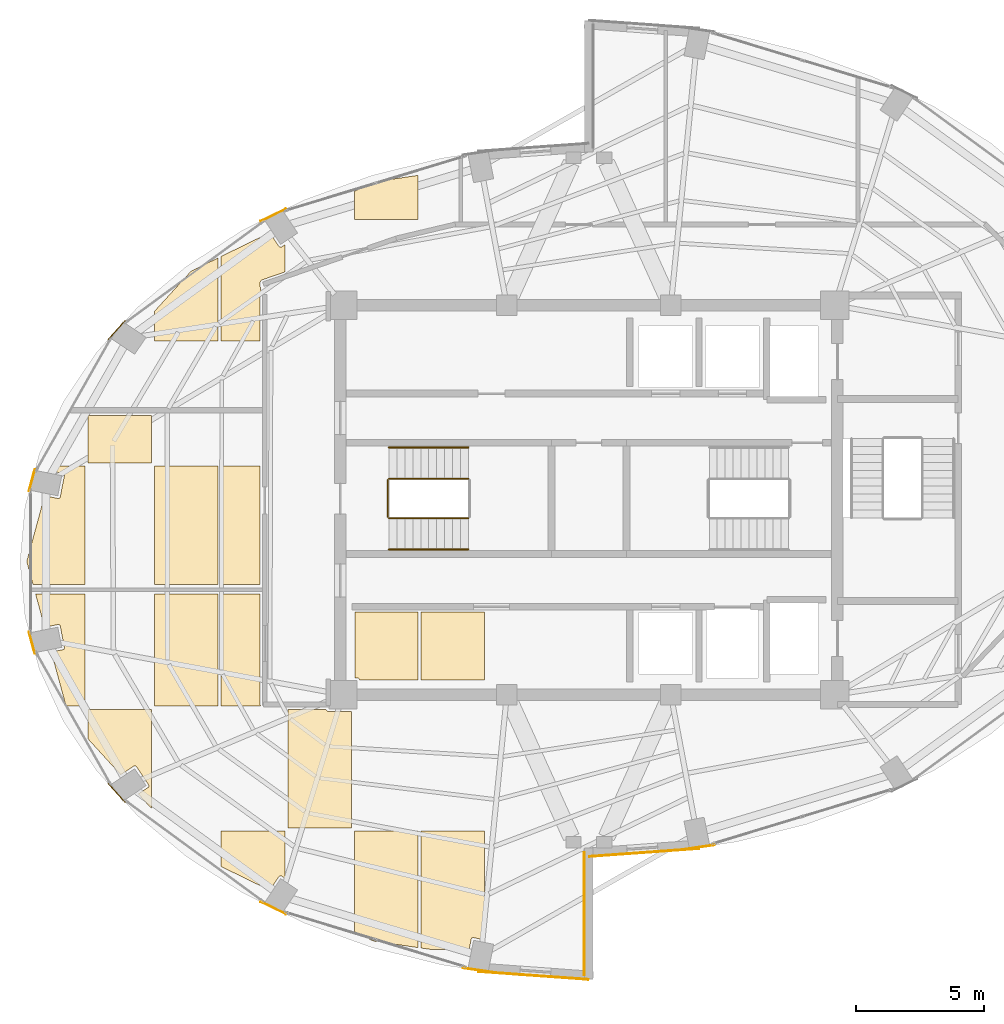
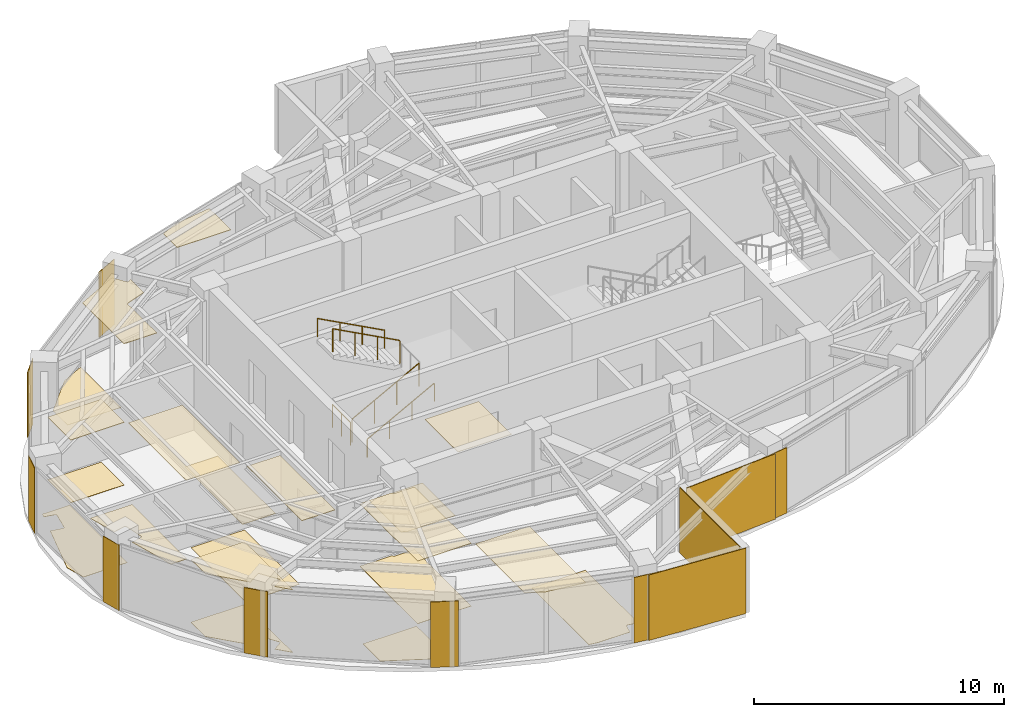
# One storey, part 21 of 22: 31 coverings, 5 railings.
"""IFC4 building model written with IfcOpenShell, lengths in metres."""

from ifc_helpers import new_model, si_unit, direction, frame, origin, origin_2d, place, context, subcontext, project, spatial, polyline, rectangle, circle, outline, extrude, material, layer, layer_set, type_object, element, save


model = new_model("IFC4")

# Units and contexts
model_context = context("Model", 3, precision=1e-05, world=origin(), true_north=direction((0.0, 1.0)))
body_context = subcontext(model_context, "Body", "Model", "MODEL_VIEW")
ifc_project = project(units=[si_unit("LENGTHUNIT", "METRE"), si_unit("AREAUNIT", "SQUARE_METRE"), si_unit("VOLUMEUNIT", "CUBIC_METRE"), si_unit("PLANEANGLEUNIT", "RADIAN"), si_unit("MASSUNIT", "GRAM", prefix="KILO")], contexts=[model_context])

# Site, building, storey
site_placement = place(None, origin())
site = spatial("IfcSite", under=ifc_project, at=site_placement, CompositionType="ELEMENT")
building_placement = place(site_placement, origin())
building = spatial("IfcBuilding", under=site, at=building_placement, Name="Lazwardi Medical Tower", CompositionType="ELEMENT")
storey_placement = place(building_placement, frame((0.0, 0.0, 242.256103515625)))
storey = spatial("IfcBuildingStorey", under=building, at=storey_placement, Name="L63", CompositionType="ELEMENT", Elevation=242.256103515625)

# Coverings
ifc_material_1 = material(Name="Anodised bronze aluminium cassette cladding", Category="aluminium")
ifc_layer_1 = layer(ifc_material_1, 0.030029296875)
ifc_layer_set_1 = layer_set([ifc_layer_1], Name="Anodised bronze aluminium cassette cladding")
covering_type_1 = type_object("IfcCoveringType", Name="COV-CLD-BRZ", PredefinedType="CLADDING", material=ifc_layer_set_1)
covering_1_placement = place(storey_placement, frame((40.3232421875, 14.450439453125, 0.0), z_axis=(0.0, 0.0, 1.0), x_axis=(0.989512431533, 0.144447733943, 0.0)))
element("IfcCovering", 1, at=covering_1_placement, inside=storey, type_object=covering_type_1, Name="L63 Mega-column bronze cassette cover M01", PredefinedType="CLADDING", context=body_context, shape_type="SweptSolid", body=[
    extrude(rectangle(XDim=1.188720703125, YDim=0.030029296875, at=origin_2d()), origin(), (0.0, 0.0, 1.0), 3.197998046875),
])
covering_2_placement = place(storey_placement, frame((23.688720703125, 39.121337890625, 0.0), z_axis=(0.0, 0.0, 1.0), x_axis=(-0.897840141691, -0.440321564278, 0.0)))
element("IfcCovering", 2, at=covering_2_placement, inside=storey, type_object=covering_type_1, Name="L63 Mega-column bronze cassette cover M10", PredefinedType="CLADDING", context=body_context, shape_type="SweptSolid", body=[
    extrude(rectangle(XDim=1.110595703125, YDim=0.030029296875, at=origin_2d()), origin(), (0.0, 0.0, 1.0), 3.197998046875),
])
covering_3_placement = place(storey_placement, frame((17.57470703125, 34.634765625, 0.0), z_axis=(0.0, 0.0, 1.0), x_axis=(-0.673240970654, -0.739423150458, 0.0)))
element("IfcCovering", 3, at=covering_3_placement, inside=storey, type_object=covering_type_1, Name="L63 Mega-column bronze cassette cover M11", PredefinedType="CLADDING", context=body_context, shape_type="SweptSolid", body=[
    extrude(rectangle(XDim=0.98974609375, YDim=0.030029296875, at=origin_2d()), origin(), (0.0, 0.0, 1.0), 3.197998046875),
])
for number, where, z_axis, x_axis, name in (
    (4, (14.265869140625, 28.772705078125, 0.0), (0.0, 0.0, 1.0), (-0.261641748247, -0.96516506131, 0.0), "L63 Mega-column bronze cassette cover M12"),
    (5, (14.265869140625, 22.427490234375, 0.0), (0.0, 0.0, 1.0), (0.261641748247, -0.96516506131, 0.0), "L63 Mega-column bronze cassette cover M13"),
):
    element("IfcCovering", number, at=place(storey_placement, frame(where, z_axis=z_axis, x_axis=x_axis)), inside=storey, type_object=covering_type_1, Name=name, PredefinedType="CLADDING", context=body_context, shape_type="SweptSolid", body=[
        extrude(rectangle(XDim=0.894287109375, YDim=0.030029296875, at=origin_2d()), origin(), (0.0, 0.0, 1.0), 3.197998046875),
    ])
covering_4_placement = place(storey_placement, frame((17.57470703125, 16.565185546875, 0.0), z_axis=(0.0, 0.0, 1.0), x_axis=(0.673240970654, -0.739423150458, 0.0)))
element("IfcCovering", 6, at=covering_4_placement, inside=storey, type_object=covering_type_1, Name="L63 Mega-column bronze cassette cover M14", PredefinedType="CLADDING", context=body_context, shape_type="SweptSolid", body=[
    extrude(rectangle(XDim=0.98974609375, YDim=0.030029296875, at=origin_2d()), origin(), (0.0, 0.0, 1.0), 3.197998046875),
])
covering_5_placement = place(storey_placement, frame((23.688720703125, 12.07861328125, 0.0), z_axis=(0.0, 0.0, 1.0), x_axis=(0.897840141691, -0.440321564278, 0.0)))
element("IfcCovering", 7, at=covering_5_placement, inside=storey, type_object=covering_type_1, Name="L63 Mega-column bronze cassette cover M15", PredefinedType="CLADDING", context=body_context, shape_type="SweptSolid", body=[
    extrude(rectangle(XDim=1.110595703125, YDim=0.030029296875, at=origin_2d()), origin(), (0.0, 0.0, 1.0), 3.197998046875),
])
covering_6_placement = place(storey_placement, frame((31.6767578125, 9.650390625, 0.0), z_axis=(0.0, 0.0, 1.0), x_axis=(0.989512431533, -0.144447733943, 0.0)))
element("IfcCovering", 8, at=covering_6_placement, inside=storey, type_object=covering_type_1, Name="L63 Mega-column bronze cassette cover M16", PredefinedType="CLADDING", context=body_context, shape_type="SweptSolid", body=[
    extrude(rectangle(XDim=1.188720703125, YDim=0.030029296875, at=origin_2d()), origin(), (0.0, 0.0, 1.0), 3.197998046875),
])
ifc_material_2 = material(Name="Turquoise glazed ceramic tilework cladding", Category="masonry")
ifc_layer_2 = layer(ifc_material_2, 0.034912109375)
ifc_layer_set_2 = layer_set([ifc_layer_2], Name="Turquoise glazed ceramic tilework cladding")
covering_type_2 = type_object("IfcCoveringType", Name="COV-CLD-TRQ", PredefinedType="CLADDING", material=ifc_layer_set_2)
covering_7_placement = place(storey_placement, frame((38.16259765625, 14.239990234375, 0.0), z_axis=(0.0, 0.0, 1.0), x_axis=(0.997409491337, 0.071932653157, 0.0)))
element("IfcCovering", 9, at=covering_7_placement, inside=storey, type_object=covering_type_2, Name="L63 Turquoise glazed ceramic tilework cladding", PredefinedType="CLADDING", context=body_context, shape_type="SweptSolid", body=[
    extrude(rectangle(XDim=4.31103515625, YDim=0.034912109375, at=origin_2d()), origin(), (0.0, 0.0, 1.0), 3.197998046875),
])
covering_8_placement = place(storey_placement, frame((33.83740234375, 9.43994140625, 0.0), z_axis=(0.0, 0.0, 1.0), x_axis=(0.997408989128, -0.071939616387, 0.0)))
element("IfcCovering", 10, at=covering_8_placement, inside=storey, type_object=covering_type_2, Name="L63 Turquoise glazed ceramic tilework cladding", PredefinedType="CLADDING", context=body_context, shape_type="SweptSolid", body=[
    extrude(rectangle(XDim=4.310546875, YDim=0.034912109375, at=origin_2d()), origin(), (0.0, 0.0, 1.0), 3.197998046875),
])
covering_9_placement = place(storey_placement, frame((35.824462890625, 11.860107421875, 0.0), z_axis=(0.0, 0.0, 1.0), x_axis=(0.0, 1.0, 0.0)))
element("IfcCovering", 11, at=covering_9_placement, inside=storey, type_object=covering_type_2, Name="L63 Turquoise glazed ceramic tilework iwan panel", PredefinedType="CLADDING", context=body_context, shape_type="SweptSolid", body=[
    extrude(rectangle(XDim=4.800048828125, YDim=0.034912109375, at=origin_2d()), origin(), (0.0, 0.0, 1.0), 3.197998046875),
])
ifc_material_3 = material(Name="Acoustic mineral fibre tile")
ifc_layer_3 = layer(ifc_material_3, 0.02490234375)
ifc_layer_set_3 = layer_set([ifc_layer_3], Name="Acoustic mineral fibre tile")
covering_type_3 = type_object("IfcCoveringType", Name="COV-CLG-01", PredefinedType="CEILING", material=ifc_layer_set_3)
covering_10_placement = place(storey_placement, frame((0.0, 0.0, 3.052978515625)))
element("IfcCovering", 12, at=covering_10_placement, inside=storey, type_object=covering_type_3, Name="L63 Clinical Acoustic Ceiling 1", PredefinedType="CEILING", context=body_context, shape_type="SweptSolid", body=[
    extrude(outline(polyline([(16.3330078125, 24.3349609375), (14.406494140625, 24.3349609375), (14.759521484375, 23.035888671875), (15.276611328125, 23.138671875), (15.2841796875, 23.139892578125), (15.2919921875, 23.14013671875), (15.2998046875, 23.139892578125), (15.3076171875, 23.138671875), (15.315185546875, 23.13671875), (15.32275390625, 23.134033203125), (15.329833984375, 23.130859375), (15.33642578125, 23.126708984375), (15.343017578125, 23.1220703125), (15.3486328125, 23.11669921875), (15.35400390625, 23.111083984375), (15.358642578125, 23.1044921875), (15.36279296875, 23.097900390625), (15.365966796875, 23.0908203125), (15.36865234375, 23.08349609375), (15.37060546875, 23.07568359375), (15.534423828125, 22.251953125), (15.53564453125, 22.244140625), (15.535888671875, 22.236328125), (15.53564453125, 22.228515625), (15.534423828125, 22.220703125), (15.53271484375, 22.213134765625), (15.52978515625, 22.205810546875), (15.526611328125, 22.19873046875), (15.5224609375, 22.19189453125), (15.517822265625, 22.185791015625), (15.5126953125, 22.1796875), (15.5068359375, 22.174560546875), (15.50048828125, 22.169921875), (15.49365234375, 22.165771484375), (15.486572265625, 22.16259765625), (15.479248046875, 22.159912109375), (15.4716796875, 22.157958984375), (15.0224609375, 22.068603515625), (15.597412109375, 19.952392578125), (16.3330078125, 19.952392578125), (16.3330078125, 24.3349609375)])), origin(), (0.0, 0.0, 1.0), 0.02490234375),
])
covering_11_placement = place(storey_placement, frame((0.0, 0.0, 3.052978515625)))
element("IfcCovering", 13, at=covering_11_placement, inside=storey, type_object=covering_type_3, Name="L63 Clinical Acoustic Ceiling 2", PredefinedType="CEILING", context=body_context, shape_type="SweptSolid", body=[
    extrude(outline(polyline([(16.452880859375, 18.677001953125), (17.7333984375, 17.273681640625), (18.236572265625, 17.60986328125), (18.2431640625, 17.614013671875), (18.250244140625, 17.6171875), (18.2578125, 17.6201171875), (18.265380859375, 17.621826171875), (18.273193359375, 17.623046875), (18.281005859375, 17.623291015625), (18.288818359375, 17.623046875), (18.29638671875, 17.621826171875), (18.30419921875, 17.6201171875), (18.3115234375, 17.6171875), (18.318603515625, 17.614013671875), (18.3251953125, 17.60986328125), (18.33154296875, 17.605224609375), (18.33740234375, 17.60009765625), (18.3427734375, 17.59423828125), (18.347412109375, 17.587890625), (18.814208984375, 16.889404296875), (18.818115234375, 16.8828125), (18.821533203125, 16.87548828125), (18.82421875, 16.8681640625), (18.826171875, 16.860595703125), (18.8271484375, 16.852783203125), (18.82763671875, 16.844970703125), (18.8271484375, 16.837158203125), (18.826171875, 16.829345703125), (18.82421875, 16.82177734375), (18.821533203125, 16.814453125), (18.818115234375, 16.807373046875), (18.814208984375, 16.800537109375), (18.809326171875, 16.794189453125), (18.80419921875, 16.788330078125), (18.79833984375, 16.783203125), (18.7919921875, 16.778564453125), (18.415283203125, 16.52685546875), (18.932861328125, 15.959716796875), (18.932861328125, 19.83251953125), (16.452880859375, 19.83251953125), (16.452880859375, 18.677001953125)])), origin(), (0.0, 0.0, 1.0), 0.02490234375),
])
covering_12_placement = place(storey_placement, frame((0.0, 0.0, 3.052978515625)))
element("IfcCovering", 14, at=covering_12_placement, inside=storey, type_object=covering_type_3, Name="L63 Clinical Acoustic Ceiling 3", PredefinedType="CEILING", context=body_context, shape_type="SweptSolid", body=[
    extrude(outline(polyline([(18.932861328125, 31.300048828125), (16.452880859375, 31.300048828125), (16.452880859375, 29.452392578125), (18.932861328125, 29.452392578125), (18.932861328125, 31.300048828125)])), origin(), (0.0, 0.0, 1.0), 0.02490234375),
])
covering_13_placement = place(storey_placement, frame((0.0, 0.0, 3.052978515625)))
element("IfcCovering", 15, at=covering_13_placement, inside=storey, type_object=covering_type_3, Name="L63 Clinical Acoustic Ceiling 4", PredefinedType="CEILING", context=body_context, shape_type="SweptSolid", body=[
    extrude(outline(polyline([(21.532958984375, 24.702392578125), (21.532958984375, 29.33251953125), (19.052978515625, 29.33251953125), (19.052978515625, 24.702392578125), (21.532958984375, 24.702392578125)])), origin(), (0.0, 0.0, 1.0), 0.02490234375),
])
covering_14_placement = place(storey_placement, frame((0.0, 0.0, 3.052978515625)))
element("IfcCovering", 16, at=covering_14_placement, inside=storey, type_object=covering_type_3, Name="L63 Clinical Acoustic Ceiling 5", PredefinedType="CEILING", context=body_context, shape_type="SweptSolid", body=[
    extrude(outline(polyline([(23.188720703125, 19.952392578125), (23.186767578125, 19.95703125), (23.18359375, 19.9658203125), (23.181396484375, 19.972900390625), (23.17919921875, 19.98193359375), (23.177490234375, 19.990234375), (23.17626953125, 19.99951171875), (23.175537109375, 20.00634765625), (23.175048828125, 20.015625), (23.175048828125, 20.02001953125), (23.175048828125, 24.3349609375), (21.65283203125, 24.3349609375), (21.65283203125, 19.952392578125), (23.188720703125, 19.952392578125)])), origin(), (0.0, 0.0, 1.0), 0.02490234375),
])
covering_15_placement = place(storey_placement, frame((0.0, 0.0, 3.052978515625)))
element("IfcCovering", 17, at=covering_15_placement, inside=storey, type_object=covering_type_3, Name="L63 Clinical Acoustic Ceiling 6", PredefinedType="CEILING", context=body_context, shape_type="SweptSolid", body=[
    extrude(outline(polyline([(24.1328125, 37.961181640625), (24.01171875, 37.88037109375), (24.0048828125, 37.876220703125), (23.997802734375, 37.872802734375), (23.990478515625, 37.8701171875), (23.98291015625, 37.868408203125), (23.97509765625, 37.8671875), (23.96728515625, 37.86669921875), (23.95947265625, 37.8671875), (23.95166015625, 37.868408203125), (23.944091796875, 37.8701171875), (23.9365234375, 37.872802734375), (23.929443359375, 37.876220703125), (23.9228515625, 37.88037109375), (23.91650390625, 37.885009765625), (23.91064453125, 37.89013671875), (23.905517578125, 37.89599609375), (23.900634765625, 37.90234375), (23.545654296875, 38.43359375), (21.65283203125, 37.5078125), (21.65283203125, 34.202392578125), (23.175048828125, 34.202392578125), (23.175048828125, 35.982421875), (23.175048828125, 35.986572265625), (23.175537109375, 35.99609375), (23.176513671875, 36.00439453125), (23.177978515625, 36.01416015625), (23.179443359375, 36.021484375), (23.181884765625, 36.031005859375), (23.1845703125, 36.039306640625), (23.18798828125, 36.04833984375), (23.191162109375, 36.055419921875), (23.1953125, 36.064208984375), (23.199462890625, 36.071533203125), (23.20458984375, 36.079833984375), (23.209228515625, 36.086181640625), (23.212158203125, 36.090087890625), (23.1591796875, 36.40625), (23.15869140625, 36.410400390625), (23.15771484375, 36.419921875), (23.156982421875, 36.42724609375), (23.156982421875, 36.436767578125), (23.1572265625, 36.446044921875), (23.158203125, 36.45556640625), (23.1591796875, 36.462158203125), (23.160888671875, 36.4716796875), (23.162841796875, 36.480224609375), (23.16552734375, 36.4892578125), (23.16796875, 36.49658203125), (23.171630859375, 36.50537109375), (23.1748046875, 36.512451171875), (23.17919921875, 36.52099609375), (23.183837890625, 36.5283203125), (23.189208984375, 36.536376953125), (23.19384765625, 36.54248046875), (23.199951171875, 36.550048828125), (23.205078125, 36.5556640625), (23.211669921875, 36.5625), (23.218017578125, 36.56787109375), (23.225341796875, 36.573974609375), (23.2314453125, 36.57861328125), (23.239501953125, 36.583740234375), (23.24658203125, 36.587890625), (23.2548828125, 36.59228515625), (23.2626953125, 36.595947265625), (23.271728515625, 36.599365234375), (23.27490234375, 36.6005859375), (24.1328125, 36.89599609375), (24.1328125, 37.961181640625)])), origin(), (0.0, 0.0, 1.0), 0.02490234375),
])
covering_16_placement = place(storey_placement, frame((0.0, 0.0, 3.052978515625)))
element("IfcCovering", 18, at=covering_16_placement, inside=storey, type_object=covering_type_3, Name="L63 Clinical Acoustic Ceiling 7", PredefinedType="CEILING", context=body_context, shape_type="SweptSolid", body=[
    extrude(outline(polyline([(26.73291015625, 19.75), (25.830078125, 19.75), (25.822265625, 19.75048828125), (25.814453125, 19.75146484375), (25.806884765625, 19.75341796875), (25.79931640625, 19.756103515625), (25.792236328125, 19.759521484375), (25.78564453125, 19.763427734375), (25.779296875, 19.768310546875), (25.7734375, 19.7734375), (25.768310546875, 19.779296875), (25.763427734375, 19.78564453125), (25.759521484375, 19.792236328125), (25.756103515625, 19.79931640625), (25.75341796875, 19.806884765625), (25.75146484375, 19.814453125), (25.75048828125, 19.822265625), (25.75, 19.830078125), (25.75, 19.83251953125), (24.2529296875, 19.83251953125), (24.2529296875, 15.202392578125), (26.73291015625, 15.202392578125), (26.73291015625, 19.75)])), origin(), (0.0, 0.0, 1.0), 0.02490234375),
])
covering_17_placement = place(storey_placement, frame((0.0, 0.0, 3.052978515625)))
element("IfcCovering", 19, at=covering_17_placement, inside=storey, type_object=covering_type_3, Name="L63 Clinical Acoustic Ceiling 8", PredefinedType="CEILING", context=body_context, shape_type="SweptSolid", body=[
    extrude(outline(polyline([(26.852783203125, 11.1484375), (27.59716796875, 10.784423828125), (29.3330078125, 10.53173828125), (29.3330078125, 15.08251953125), (26.852783203125, 15.08251953125), (26.852783203125, 11.1484375)])), origin(), (0.0, 0.0, 1.0), 0.02490234375),
])
covering_18_placement = place(storey_placement, frame((0.0, 0.0, 3.052978515625)))
element("IfcCovering", 20, at=covering_18_placement, inside=storey, type_object=covering_type_3, Name="L63 Clinical Acoustic Ceiling 9", PredefinedType="CEILING", context=body_context, shape_type="SweptSolid", body=[
    extrude(outline(polyline([(29.3330078125, 40.668212890625), (27.59716796875, 40.41552734375), (26.852783203125, 40.051513671875), (26.852783203125, 38.952392578125), (29.3330078125, 38.952392578125), (29.3330078125, 40.668212890625)])), origin(), (0.0, 0.0, 1.0), 0.02490234375),
])
covering_19_placement = place(storey_placement, frame((0.0, 0.0, 3.052978515625)))
element("IfcCovering", 21, at=covering_19_placement, inside=storey, type_object=covering_type_3, Name="L63 Clinical Acoustic Ceiling 10", PredefinedType="CEILING", context=body_context, shape_type="SweptSolid", body=[
    extrude(outline(polyline([(31.932861328125, 23.6201171875), (29.452880859375, 23.6201171875), (29.452880859375, 20.97998046875), (31.932861328125, 20.97998046875), (31.932861328125, 23.6201171875)])), origin(), (0.0, 0.0, 1.0), 0.02490234375),
])
ifc_material_4 = material(Name="Anti-static hospital vinyl sheet flooring")
ifc_layer_4 = layer(ifc_material_4, 0.014892578125)
ifc_layer_set_4 = layer_set([ifc_layer_4], Name="Anti-static hospital vinyl sheet flooring")
covering_type_4 = type_object("IfcCoveringType", Name="COV-FLR-01", PredefinedType="FLOORING", material=ifc_layer_set_4)
covering_20_placement = place(storey_placement, origin())
element("IfcCovering", 22, at=covering_20_placement, inside=storey, type_object=covering_type_4, Name="L63 Clinical Vinyl Flooring 1", PredefinedType="FLOORING", context=body_context, shape_type="SweptSolid", body=[
    extrude(outline(polyline([(15.0771484375, 29.33251953125), (15.0224609375, 29.13134765625), (15.4716796875, 29.0419921875), (15.479248046875, 29.040283203125), (15.486572265625, 29.03759765625), (15.49365234375, 29.0341796875), (15.50048828125, 29.030029296875), (15.5068359375, 29.025390625), (15.5126953125, 29.020263671875), (15.517822265625, 29.014404296875), (15.5224609375, 29.008056640625), (15.526611328125, 29.001220703125), (15.52978515625, 28.994140625), (15.53271484375, 28.98681640625), (15.534423828125, 28.979248046875), (15.53564453125, 28.971435546875), (15.535888671875, 28.963623046875), (15.53564453125, 28.955810546875), (15.534423828125, 28.947998046875), (15.37060546875, 28.124267578125), (15.36865234375, 28.11669921875), (15.365966796875, 28.109130859375), (15.36279296875, 28.10205078125), (15.358642578125, 28.095458984375), (15.35400390625, 28.089111328125), (15.3486328125, 28.083251953125), (15.343017578125, 28.077880859375), (15.33642578125, 28.0732421875), (15.329833984375, 28.069091796875), (15.32275390625, 28.06591796875), (15.315185546875, 28.063232421875), (15.3076171875, 28.061279296875), (15.2998046875, 28.060302734375), (15.2919921875, 28.059814453125), (15.2841796875, 28.060302734375), (15.276611328125, 28.061279296875), (14.759521484375, 28.1640625), (14.06298828125, 25.60009765625), (14.306884765625, 24.702392578125), (16.3330078125, 24.702392578125), (16.3330078125, 29.33251953125), (15.0771484375, 29.33251953125)])), origin(), (0.0, 0.0, 1.0), 0.014892578125),
])
covering_21_placement = place(storey_placement, origin())
element("IfcCovering", 23, at=covering_21_placement, inside=storey, type_object=covering_type_4, Name="L63 Clinical Vinyl Flooring 2", PredefinedType="FLOORING", context=body_context, shape_type="SweptSolid", body=[
    extrude(outline(polyline([(16.452880859375, 18.677001953125), (17.7333984375, 17.273681640625), (18.236572265625, 17.60986328125), (18.2431640625, 17.614013671875), (18.250244140625, 17.6171875), (18.2578125, 17.6201171875), (18.265380859375, 17.621826171875), (18.273193359375, 17.623046875), (18.281005859375, 17.623291015625), (18.288818359375, 17.623046875), (18.29638671875, 17.621826171875), (18.30419921875, 17.6201171875), (18.3115234375, 17.6171875), (18.318603515625, 17.614013671875), (18.3251953125, 17.60986328125), (18.33154296875, 17.605224609375), (18.33740234375, 17.60009765625), (18.3427734375, 17.59423828125), (18.347412109375, 17.587890625), (18.814208984375, 16.889404296875), (18.818115234375, 16.8828125), (18.821533203125, 16.87548828125), (18.82421875, 16.8681640625), (18.826171875, 16.860595703125), (18.8271484375, 16.852783203125), (18.82763671875, 16.844970703125), (18.8271484375, 16.837158203125), (18.826171875, 16.829345703125), (18.82421875, 16.82177734375), (18.821533203125, 16.814453125), (18.818115234375, 16.807373046875), (18.814208984375, 16.800537109375), (18.809326171875, 16.794189453125), (18.80419921875, 16.788330078125), (18.79833984375, 16.783203125), (18.7919921875, 16.778564453125), (18.415283203125, 16.52685546875), (18.932861328125, 15.959716796875), (18.932861328125, 19.83251953125), (16.452880859375, 19.83251953125), (16.452880859375, 18.677001953125)])), origin(), (0.0, 0.0, 1.0), 0.014892578125),
])
covering_22_placement = place(storey_placement, origin())
element("IfcCovering", 24, at=covering_22_placement, inside=storey, type_object=covering_type_4, Name="L63 Clinical Vinyl Flooring 3", PredefinedType="FLOORING", context=body_context, shape_type="SweptSolid", body=[
    extrude(outline(polyline([(18.932861328125, 31.300048828125), (16.452880859375, 31.300048828125), (16.452880859375, 29.452392578125), (18.932861328125, 29.452392578125), (18.932861328125, 31.300048828125)])), origin(), (0.0, 0.0, 1.0), 0.014892578125),
])
covering_23_placement = place(storey_placement, origin())
element("IfcCovering", 25, at=covering_23_placement, inside=storey, type_object=covering_type_4, Name="L63 Clinical Vinyl Flooring 4", PredefinedType="FLOORING", context=body_context, shape_type="SweptSolid", body=[
    extrude(outline(polyline([(21.532958984375, 24.3349609375), (19.052978515625, 24.3349609375), (19.052978515625, 19.952392578125), (21.532958984375, 19.952392578125), (21.532958984375, 24.3349609375)])), origin(), (0.0, 0.0, 1.0), 0.014892578125),
])
covering_24_placement = place(storey_placement, origin())
element("IfcCovering", 26, at=covering_24_placement, inside=storey, type_object=covering_type_4, Name="L63 Clinical Vinyl Flooring 5", PredefinedType="FLOORING", context=body_context, shape_type="SweptSolid", body=[
    extrude(outline(polyline([(21.532958984375, 37.44921875), (20.478271484375, 36.933349609375), (19.052978515625, 35.37158203125), (19.052978515625, 34.202392578125), (21.532958984375, 34.202392578125), (21.532958984375, 37.44921875)])), origin(), (0.0, 0.0, 1.0), 0.014892578125),
])
covering_25_placement = place(storey_placement, origin())
element("IfcCovering", 27, at=covering_25_placement, inside=storey, type_object=covering_type_4, Name="L63 Clinical Vinyl Flooring 6", PredefinedType="FLOORING", context=body_context, shape_type="SweptSolid", body=[
    extrude(outline(polyline([(21.65283203125, 13.692138671875), (23.545654296875, 12.766357421875), (23.900634765625, 13.297607421875), (23.905517578125, 13.303955078125), (23.91064453125, 13.309814453125), (23.91650390625, 13.31494140625), (23.9228515625, 13.319580078125), (23.929443359375, 13.32373046875), (23.9365234375, 13.3271484375), (23.944091796875, 13.329833984375), (23.95166015625, 13.331787109375), (23.95947265625, 13.332763671875), (23.96728515625, 13.333251953125), (23.97509765625, 13.332763671875), (23.98291015625, 13.331787109375), (23.990478515625, 13.329833984375), (23.997802734375, 13.3271484375), (24.0048828125, 13.32373046875), (24.01171875, 13.319580078125), (24.1328125, 13.23876953125), (24.1328125, 15.08251953125), (21.65283203125, 15.08251953125), (21.65283203125, 13.692138671875)])), origin(), (0.0, 0.0, 1.0), 0.014892578125),
])
covering_26_placement = place(storey_placement, origin())
element("IfcCovering", 28, at=covering_26_placement, inside=storey, type_object=covering_type_4, Name="L63 Clinical Vinyl Flooring 7", PredefinedType="FLOORING", context=body_context, shape_type="SweptSolid", body=[
    extrude(outline(polyline([(23.175048828125, 24.702392578125), (23.175048828125, 29.33251953125), (21.65283203125, 29.33251953125), (21.65283203125, 24.702392578125), (23.175048828125, 24.702392578125)])), origin(), (0.0, 0.0, 1.0), 0.014892578125),
])
covering_27_placement = place(storey_placement, origin())
element("IfcCovering", 29, at=covering_27_placement, inside=storey, type_object=covering_type_4, Name="L63 Clinical Vinyl Flooring 8", PredefinedType="FLOORING", context=body_context, shape_type="SweptSolid", body=[
    extrude(outline(polyline([(26.73291015625, 19.75), (25.830078125, 19.75), (25.822265625, 19.75048828125), (25.814453125, 19.75146484375), (25.806884765625, 19.75341796875), (25.79931640625, 19.756103515625), (25.792236328125, 19.759521484375), (25.78564453125, 19.763427734375), (25.779296875, 19.768310546875), (25.7734375, 19.7734375), (25.768310546875, 19.779296875), (25.763427734375, 19.78564453125), (25.759521484375, 19.792236328125), (25.756103515625, 19.79931640625), (25.75341796875, 19.806884765625), (25.75146484375, 19.814453125), (25.75048828125, 19.822265625), (25.75, 19.830078125), (25.75, 19.83251953125), (24.2529296875, 19.83251953125), (24.2529296875, 15.202392578125), (26.73291015625, 15.202392578125), (26.73291015625, 19.75)])), origin(), (0.0, 0.0, 1.0), 0.014892578125),
])
covering_28_placement = place(storey_placement, origin())
element("IfcCovering", 30, at=covering_28_placement, inside=storey, type_object=covering_type_4, Name="L63 Clinical Vinyl Flooring 9", PredefinedType="FLOORING", context=body_context, shape_type="SweptSolid", body=[
    extrude(outline(polyline([(29.3330078125, 23.6201171875), (26.8798828125, 23.6201171875), (26.8798828125, 21.050048828125), (26.969970703125, 21.050048828125), (26.977783203125, 21.049560546875), (26.985595703125, 21.048583984375), (26.9931640625, 21.046630859375), (27.00048828125, 21.0439453125), (27.0078125, 21.04052734375), (27.014404296875, 21.03662109375), (27.020751953125, 21.03173828125), (27.026611328125, 21.026611328125), (27.03173828125, 21.020751953125), (27.03662109375, 21.014404296875), (27.04052734375, 21.0078125), (27.0439453125, 21.00048828125), (27.046630859375, 20.9931640625), (27.048583984375, 20.985595703125), (27.04931640625, 20.97998046875), (29.3330078125, 20.97998046875), (29.3330078125, 23.6201171875)])), origin(), (0.0, 0.0, 1.0), 0.014892578125),
])
covering_29_placement = place(storey_placement, origin())
element("IfcCovering", 31, at=covering_29_placement, inside=storey, type_object=covering_type_4, Name="L63 Clinical Vinyl Flooring 10", PredefinedType="FLOORING", context=body_context, shape_type="SweptSolid", body=[
    extrude(outline(polyline([(29.452880859375, 10.51416015625), (29.876953125, 10.452392578125), (31.326171875, 10.452392578125), (31.40673828125, 10.8583984375), (31.40869140625, 10.865966796875), (31.411376953125, 10.873291015625), (31.414794921875, 10.88037109375), (31.418701171875, 10.88720703125), (31.423583984375, 10.8935546875), (31.4287109375, 10.8994140625), (31.4345703125, 10.904541015625), (31.44091796875, 10.9091796875), (31.447509765625, 10.913330078125), (31.45458984375, 10.91650390625), (31.462158203125, 10.919189453125), (31.4697265625, 10.921142578125), (31.4775390625, 10.92236328125), (31.4853515625, 10.922607421875), (31.4931640625, 10.92236328125), (31.5009765625, 10.921142578125), (31.932861328125, 10.835205078125), (31.932861328125, 15.08251953125), (29.452880859375, 15.08251953125), (29.452880859375, 10.51416015625)])), origin(), (0.0, 0.0, 1.0), 0.014892578125),
])

# Railings
ifc_material_5 = material(Name="Stainless steel Grade 316", Category="steel")
railing_type_1 = type_object("IfcRailingType", Name="RLG-GRD-1150", PredefinedType="GUARDRAIL", material=ifc_material_5)
railing_1_placement = place(storey_placement, frame((28.199951171875, 27.2900390625, 0.165771484375)))
element("IfcRailing", 32, at=railing_1_placement, inside=storey, type_object=railing_type_1, Name="L63 ST1 stair guard 1", PredefinedType="GUARDRAIL", context=body_context, shape_type="SweptSolid", body=[
    extrude(circle(Radius=0.02392578125, at=origin_2d()), frame((0.0, 0.0, 1.1259765625), z_axis=(0.881783298633, 0.0, 0.471654761719), x_axis=(0.0, 1.0, 0.0)), (0.0, 0.0, 1.0), 3.515625),
    extrude(circle(Radius=0.02099609375, at=origin_2d()), origin(), (0.0, 0.0, 1.0), 1.099853515625),
    extrude(circle(Radius=0.02099609375, at=origin_2d()), frame((1.033447265625, 0.0, 0.552734375)), (0.0, 0.0, 1.0), 1.099853515625),
    extrude(circle(Radius=0.02099609375, at=origin_2d()), frame((2.066650390625, 0.0, 1.10546875)), (0.0, 0.0, 1.0), 1.099853515625),
    extrude(circle(Radius=0.02099609375, at=origin_2d()), frame((3.10009765625, 0.0, 1.658203125)), (0.0, 0.0, 1.0), 1.099853515625),
])
railing_2_placement = place(storey_placement, frame((31.300048828125, 28.830078125, 1.98974609375)))
element("IfcRailing", 33, at=railing_2_placement, inside=storey, type_object=railing_type_1, Name="L63 ST1 stair guard 3", PredefinedType="GUARDRAIL", context=body_context, shape_type="SweptSolid", body=[
    extrude(circle(Radius=0.02392578125, at=origin_2d()), frame((0.0, 0.0, 1.1259765625), z_axis=(-0.881783298633, 0.0, 0.471654761719), x_axis=(0.0, -1.0, 0.0)), (0.0, 0.0, 1.0), 3.515625),
    extrude(circle(Radius=0.02099609375, at=origin_2d()), origin(), (0.0, 0.0, 1.0), 1.099853515625),
    extrude(circle(Radius=0.02099609375, at=origin_2d()), frame((-1.033447265625, 0.0, 0.552734375)), (0.0, 0.0, 1.0), 1.099853515625),
    extrude(circle(Radius=0.02099609375, at=origin_2d()), frame((-2.066650390625, 0.0, 1.10546875)), (0.0, 0.0, 1.0), 1.099853515625),
    extrude(circle(Radius=0.02099609375, at=origin_2d()), frame((-3.10009765625, 0.0, 1.658203125)), (0.0, 0.0, 1.0), 1.099853515625),
])
railing_3_placement = place(storey_placement, frame((28.14990234375, 27.340087890625, 0.0)))
element("IfcRailing", 34, at=railing_3_placement, inside=storey, type_object=railing_type_1, Name="L63 ST1 stair guard 4", PredefinedType="GUARDRAIL", context=body_context, shape_type="SweptSolid", body=[
    extrude(circle(Radius=0.02392578125, at=origin_2d()), frame((0.0, 0.0, 1.1259765625), z_axis=(0.0, 1.0, 0.0), x_axis=(-1.0, 0.0, 0.0)), (0.0, 0.0, 1.0), 1.43994140625),
    extrude(circle(Radius=0.02099609375, at=origin_2d()), origin(), (0.0, 0.0, 1.0), 1.099853515625),
    extrude(circle(Radius=0.02099609375, at=origin_2d()), frame((0.0, 0.719970703125, 0.0)), (0.0, 0.0, 1.0), 1.099853515625),
    extrude(circle(Radius=0.02099609375, at=origin_2d()), frame((0.0, 1.43994140625, 0.0)), (0.0, 0.0, 1.0), 1.099853515625),
])
railing_type_2 = type_object("IfcRailingType", Name="RLG-HND-920", PredefinedType="HANDRAIL", material=ifc_material_5)
railing_4_placement = place(storey_placement, frame((28.199951171875, 26.070068359375, 0.165771484375)))
element("IfcRailing", 35, at=railing_4_placement, inside=storey, type_object=railing_type_2, Name="L63 ST1 stair handrail 1", PredefinedType="HANDRAIL", context=body_context, shape_type="SweptSolid", body=[
    extrude(circle(Radius=0.02392578125, at=origin_2d()), frame((0.0, 0.0, 0.8857421875), z_axis=(0.881783298633, 0.0, 0.471654761719), x_axis=(0.0, 1.0, 0.0)), (0.0, 0.0, 1.0), 3.515625),
    extrude(circle(Radius=0.02099609375, at=origin_2d()), origin(), (0.0, 0.0, 1.0), 0.85986328125),
    extrude(circle(Radius=0.02099609375, at=origin_2d()), frame((1.033447265625, 0.0, 0.552734375)), (0.0, 0.0, 1.0), 0.85986328125),
    extrude(circle(Radius=0.02099609375, at=origin_2d()), frame((2.066650390625, 0.0, 1.10546875)), (0.0, 0.0, 1.0), 0.85986328125),
    extrude(circle(Radius=0.02099609375, at=origin_2d()), frame((3.10009765625, 0.0, 1.658203125)), (0.0, 0.0, 1.0), 0.85986328125),
])
railing_5_placement = place(storey_placement, frame((31.300048828125, 30.050048828125, 1.98974609375)))
element("IfcRailing", 36, at=railing_5_placement, inside=storey, type_object=railing_type_2, Name="L63 ST1 stair handrail 2", PredefinedType="HANDRAIL", context=body_context, shape_type="SweptSolid", body=[
    extrude(circle(Radius=0.02392578125, at=origin_2d()), frame((0.0, 0.0, 0.8857421875), z_axis=(-0.881783298633, 0.0, 0.471654761719), x_axis=(0.0, -1.0, 0.0)), (0.0, 0.0, 1.0), 3.515625),
    extrude(circle(Radius=0.02099609375, at=origin_2d()), origin(), (0.0, 0.0, 1.0), 0.85986328125),
    extrude(circle(Radius=0.02099609375, at=origin_2d()), frame((-1.033447265625, 0.0, 0.552734375)), (0.0, 0.0, 1.0), 0.85986328125),
    extrude(circle(Radius=0.02099609375, at=origin_2d()), frame((-2.066650390625, 0.0, 1.10546875)), (0.0, 0.0, 1.0), 0.85986328125),
    extrude(circle(Radius=0.02099609375, at=origin_2d()), frame((-3.10009765625, 0.0, 1.658203125)), (0.0, 0.0, 1.0), 0.85986328125),
])

save(model, "model.ifc")
